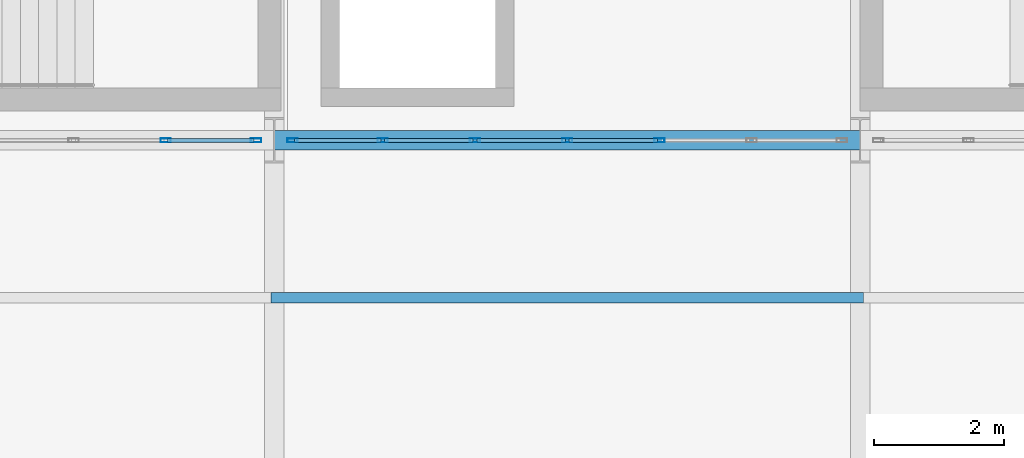
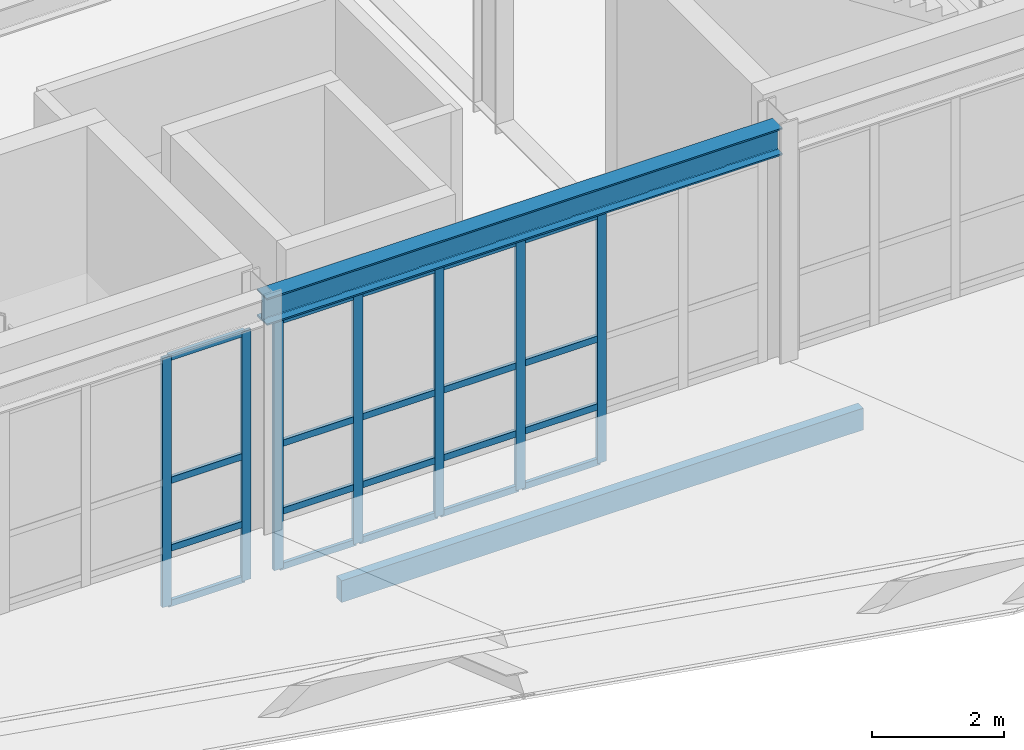
# One storey, part 52 of 239: 28 members, 1 beam, 2 elements without a shape of their own.
"""IFC4 building model written with IfcOpenShell, lengths in metres."""

from ifc_helpers import new_model, si_unit, direction, frame, origin, origin_2d, place, context, subcontext, project, spatial, rectangle, hollow_rectangle, i_section, extrude, material, material_profile, profile_set, type_object, element, aggregate, save


model = new_model("IFC4")

# Units and contexts
model_context = context("Model", 3, precision=1e-05, world=origin(), true_north=direction((0.0, 1.0)))
body_context = subcontext(model_context, "Body", "Model", "MODEL_VIEW")
ifc_project = project(units=[si_unit("LENGTHUNIT", "METRE"), si_unit("AREAUNIT", "SQUARE_METRE"), si_unit("VOLUMEUNIT", "CUBIC_METRE"), si_unit("PLANEANGLEUNIT", "RADIAN"), si_unit("MASSUNIT", "GRAM", prefix="KILO")], contexts=[model_context])

# Site, building, storey
site_placement = place(None, origin())
site = spatial("IfcSite", under=ifc_project, at=site_placement, CompositionType="ELEMENT")
building_placement = place(site_placement, origin())
building = spatial("IfcBuilding", under=site, at=building_placement, Name="Kaldris Quays Convention Centre", CompositionType="ELEMENT")
storey_placement = place(building_placement, frame((0.0, 0.0, 11.39990234375)))
storey = spatial("IfcBuildingStorey", under=building, at=storey_placement, Name="L02", CompositionType="ELEMENT", Elevation=11.39990234375)

# Curtain wall, members
ifc_material_1 = material(Name="Anodized aluminium AW-6060 and triple glazing", Category="aluminium")
curtain_wall_type = type_object("IfcCurtainWallType", Name="UNITISED CURTAIN WALL CW04", PredefinedType="NOTDEFINED", material=ifc_material_1)
curtain_wall_1_placement = place(storey_placement, origin())
curtain_wall_1 = element("IfcCurtainWall", 1, at=curtain_wall_1_placement, inside=storey, type_object=curtain_wall_type, Name="L02 Unitised Curtain Wall CW04 115", PredefinedType="NOTDEFINED")
ifc_material_2 = material(Name="Anodized aluminium AW-6060", Category="aluminium")
ifc_material_profile_1 = material_profile(ifc_material_2, hollow_rectangle(XDim=0.06005859375, YDim=0.159912109375, WallThickness=0.00390625, at=origin_2d()), Name="RHS 160x60x4")
ifc_profile_set_1 = profile_set([ifc_material_profile_1], Name="Anodized aluminium AW-6060")
member_type_1 = type_object("IfcMemberType", Name="CURTAIN MULLION CWM1", PredefinedType="MULLION", material=ifc_profile_set_1)
member_1_placement = place(storey_placement, frame((99.333251953125, 38.0, 0.0), z_axis=(0.0, 0.0, 1.0), x_axis=(0.0, 1.0, 0.0)))
member_1 = element("IfcMember", 2, at=member_1_placement, type_object=member_type_1, Name="CW04 mullion 6", PredefinedType="MULLION", context=body_context, shape_type="SweptSolid", body=[
    extrude(hollow_rectangle(XDim=0.06005859375, YDim=0.159912109375, WallThickness=0.00390625, at=origin_2d()), origin(), (0.0, 0.0, 1.0), 4.60009765625),
])
member_2_placement = place(storey_placement, frame((100.719970703125, 38.0, 0.0), z_axis=(0.0, 0.0, 1.0), x_axis=(0.0, 1.0, 0.0)))
member_2 = element("IfcMember", 3, at=member_2_placement, type_object=member_type_1, Name="CW04 mullion 7", PredefinedType="MULLION", context=body_context, shape_type="SweptSolid", body=[
    extrude(hollow_rectangle(XDim=0.06005859375, YDim=0.159912109375, WallThickness=0.00390625, at=origin_2d()), origin(), (0.0, 0.0, 1.0), 4.60009765625),
])

curtain_wall_2_placement = place(storey_placement, origin())
curtain_wall_2 = element("IfcCurtainWall", 4, at=curtain_wall_2_placement, inside=storey, type_object=curtain_wall_type, Name="L02 Unitised Curtain Wall CW04 116", PredefinedType="NOTDEFINED")
member_3_placement = place(storey_placement, frame((101.280029296875, 38.0, 0.0), z_axis=(0.0, 0.0, 1.0), x_axis=(0.0, 1.0, 0.0)))
member_3 = element("IfcMember", 5, at=member_3_placement, type_object=member_type_1, Name="CW04 mullion 1", PredefinedType="MULLION", context=body_context, shape_type="SweptSolid", body=[
    extrude(hollow_rectangle(XDim=0.06005859375, YDim=0.159912109375, WallThickness=0.00390625, at=origin_2d()), origin(), (0.0, 0.0, 1.0), 4.60009765625),
])
member_4_placement = place(storey_placement, frame((102.666748046875, 38.0, 0.0), z_axis=(0.0, 0.0, 1.0), x_axis=(0.0, 1.0, 0.0)))
member_4 = element("IfcMember", 6, at=member_4_placement, type_object=member_type_1, Name="CW04 mullion 2", PredefinedType="MULLION", context=body_context, shape_type="SweptSolid", body=[
    extrude(hollow_rectangle(XDim=0.06005859375, YDim=0.159912109375, WallThickness=0.00390625, at=origin_2d()), origin(), (0.0, 0.0, 1.0), 4.60009765625),
])
member_5_placement = place(storey_placement, frame((104.083251953125, 38.0, 0.0), z_axis=(0.0, 0.0, 1.0), x_axis=(0.0, 1.0, 0.0)))
member_5 = element("IfcMember", 7, at=member_5_placement, type_object=member_type_1, Name="CW04 mullion 3", PredefinedType="MULLION", context=body_context, shape_type="SweptSolid", body=[
    extrude(hollow_rectangle(XDim=0.06005859375, YDim=0.159912109375, WallThickness=0.00390625, at=origin_2d()), origin(), (0.0, 0.0, 1.0), 4.60009765625),
])
member_6_placement = place(storey_placement, frame((105.5, 38.0, 0.0), z_axis=(0.0, 0.0, 1.0), x_axis=(0.0, 1.0, 0.0)))
member_6 = element("IfcMember", 8, at=member_6_placement, type_object=member_type_1, Name="CW04 mullion 4", PredefinedType="MULLION", context=body_context, shape_type="SweptSolid", body=[
    extrude(hollow_rectangle(XDim=0.06005859375, YDim=0.159912109375, WallThickness=0.00390625, at=origin_2d()), origin(), (0.0, 0.0, 1.0), 4.60009765625),
])
member_7_placement = place(storey_placement, frame((106.916748046875, 38.0, 0.0), z_axis=(0.0, 0.0, 1.0), x_axis=(0.0, 1.0, 0.0)))
member_7 = element("IfcMember", 9, at=member_7_placement, type_object=member_type_1, Name="CW04 mullion 5", PredefinedType="MULLION", context=body_context, shape_type="SweptSolid", body=[
    extrude(hollow_rectangle(XDim=0.06005859375, YDim=0.159912109375, WallThickness=0.00390625, at=origin_2d()), origin(), (0.0, 0.0, 1.0), 4.60009765625),
])

# Member
ifc_material_profile_2 = material_profile(ifc_material_2, hollow_rectangle(XDim=0.06005859375, YDim=0.1201171875, WallThickness=0.00390625, at=origin_2d()), Name="RHS 120x60x4")
ifc_profile_set_2 = profile_set([ifc_material_profile_2], Name="Anodized aluminium AW-6060")
member_type_2 = type_object("IfcMemberType", Name="CURTAIN TRANSOM CWT1", PredefinedType="USERDEFINED", material=ifc_profile_set_2)
member_8_placement = place(storey_placement, frame((99.36328125, 38.0, 0.030029296875), z_axis=(1.0, 0.0, 0.0), x_axis=(0.0, 1.0, 0.0)))
member_8 = element("IfcMember", 10, at=member_8_placement, type_object=member_type_2, Name="CW04 transom 6.1", ObjectType="TRANSOM", PredefinedType="USERDEFINED", context=body_context, shape_type="SweptSolid", body=[
    extrude(hollow_rectangle(XDim=0.06005859375, YDim=0.1201171875, WallThickness=0.00390625, at=origin_2d()), origin(), (0.0, 0.0, 1.0), 1.32666015625),
])

member_9_placement = place(storey_placement, frame((99.36328125, 38.0, 1.050048828125), z_axis=(1.0, 0.0, 0.0), x_axis=(0.0, 1.0, 0.0)))
member_9 = element("IfcMember", 11, at=member_9_placement, type_object=member_type_2, Name="CW04 transom 6.2", ObjectType="TRANSOM", PredefinedType="USERDEFINED", context=body_context, shape_type="SweptSolid", body=[
    extrude(hollow_rectangle(XDim=0.06005859375, YDim=0.1201171875, WallThickness=0.00390625, at=origin_2d()), origin(), (0.0, 0.0, 1.0), 1.32666015625),
])

member_10_placement = place(storey_placement, frame((99.36328125, 38.0, 2.300048828125), z_axis=(1.0, 0.0, 0.0), x_axis=(0.0, 1.0, 0.0)))
member_10 = element("IfcMember", 12, at=member_10_placement, type_object=member_type_2, Name="CW04 transom 6.3", ObjectType="TRANSOM", PredefinedType="USERDEFINED", context=body_context, shape_type="SweptSolid", body=[
    extrude(hollow_rectangle(XDim=0.06005859375, YDim=0.1201171875, WallThickness=0.00390625, at=origin_2d()), origin(), (0.0, 0.0, 1.0), 1.32666015625),
])

member_11_placement = place(storey_placement, frame((99.36328125, 38.0, 4.570068359375), z_axis=(1.0, 0.0, 0.0), x_axis=(0.0, 1.0, 0.0)))
member_11 = element("IfcMember", 13, at=member_11_placement, type_object=member_type_2, Name="CW04 transom 6.4", ObjectType="TRANSOM", PredefinedType="USERDEFINED", context=body_context, shape_type="SweptSolid", body=[
    extrude(hollow_rectangle(XDim=0.06005859375, YDim=0.1201171875, WallThickness=0.00390625, at=origin_2d()), origin(), (0.0, 0.0, 1.0), 1.32666015625),
])

aggregate(curtain_wall_1, [member_1, member_2, member_8, member_9, member_10, member_11])

member_12_placement = place(storey_placement, frame((101.31005859375, 38.0, 0.030029296875), z_axis=(1.0, 0.0, 0.0), x_axis=(0.0, 1.0, 0.0)))
member_12 = element("IfcMember", 14, at=member_12_placement, type_object=member_type_2, Name="CW04 transom 1.1", ObjectType="TRANSOM", PredefinedType="USERDEFINED", context=body_context, shape_type="SweptSolid", body=[
    extrude(hollow_rectangle(XDim=0.06005859375, YDim=0.1201171875, WallThickness=0.00390625, at=origin_2d()), origin(), (0.0, 0.0, 1.0), 1.32666015625),
])

member_13_placement = place(storey_placement, frame((101.31005859375, 38.0, 1.050048828125), z_axis=(1.0, 0.0, 0.0), x_axis=(0.0, 1.0, 0.0)))
member_13 = element("IfcMember", 15, at=member_13_placement, type_object=member_type_2, Name="CW04 transom 1.2", ObjectType="TRANSOM", PredefinedType="USERDEFINED", context=body_context, shape_type="SweptSolid", body=[
    extrude(hollow_rectangle(XDim=0.06005859375, YDim=0.1201171875, WallThickness=0.00390625, at=origin_2d()), origin(), (0.0, 0.0, 1.0), 1.32666015625),
])

member_14_placement = place(storey_placement, frame((101.31005859375, 38.0, 2.300048828125), z_axis=(1.0, 0.0, 0.0), x_axis=(0.0, 1.0, 0.0)))
member_14 = element("IfcMember", 16, at=member_14_placement, type_object=member_type_2, Name="CW04 transom 1.3", ObjectType="TRANSOM", PredefinedType="USERDEFINED", context=body_context, shape_type="SweptSolid", body=[
    extrude(hollow_rectangle(XDim=0.06005859375, YDim=0.1201171875, WallThickness=0.00390625, at=origin_2d()), origin(), (0.0, 0.0, 1.0), 1.32666015625),
])

member_15_placement = place(storey_placement, frame((101.31005859375, 38.0, 4.570068359375), z_axis=(1.0, 0.0, 0.0), x_axis=(0.0, 1.0, 0.0)))
member_15 = element("IfcMember", 17, at=member_15_placement, type_object=member_type_2, Name="CW04 transom 1.4", ObjectType="TRANSOM", PredefinedType="USERDEFINED", context=body_context, shape_type="SweptSolid", body=[
    extrude(hollow_rectangle(XDim=0.06005859375, YDim=0.1201171875, WallThickness=0.00390625, at=origin_2d()), origin(), (0.0, 0.0, 1.0), 1.32666015625),
])

member_16_placement = place(storey_placement, frame((102.69677734375, 38.0, 0.030029296875), z_axis=(1.0, 0.0, 0.0), x_axis=(0.0, 1.0, 0.0)))
member_16 = element("IfcMember", 18, at=member_16_placement, type_object=member_type_2, Name="CW04 transom 2.1", ObjectType="TRANSOM", PredefinedType="USERDEFINED", context=body_context, shape_type="SweptSolid", body=[
    extrude(hollow_rectangle(XDim=0.06005859375, YDim=0.1201171875, WallThickness=0.00390625, at=origin_2d()), origin(), (0.0, 0.0, 1.0), 1.3564453125),
])

member_17_placement = place(storey_placement, frame((102.69677734375, 38.0, 1.050048828125), z_axis=(1.0, 0.0, 0.0), x_axis=(0.0, 1.0, 0.0)))
member_17 = element("IfcMember", 19, at=member_17_placement, type_object=member_type_2, Name="CW04 transom 2.2", ObjectType="TRANSOM", PredefinedType="USERDEFINED", context=body_context, shape_type="SweptSolid", body=[
    extrude(hollow_rectangle(XDim=0.06005859375, YDim=0.1201171875, WallThickness=0.00390625, at=origin_2d()), origin(), (0.0, 0.0, 1.0), 1.3564453125),
])

member_18_placement = place(storey_placement, frame((102.69677734375, 38.0, 2.300048828125), z_axis=(1.0, 0.0, 0.0), x_axis=(0.0, 1.0, 0.0)))
member_18 = element("IfcMember", 20, at=member_18_placement, type_object=member_type_2, Name="CW04 transom 2.3", ObjectType="TRANSOM", PredefinedType="USERDEFINED", context=body_context, shape_type="SweptSolid", body=[
    extrude(hollow_rectangle(XDim=0.06005859375, YDim=0.1201171875, WallThickness=0.00390625, at=origin_2d()), origin(), (0.0, 0.0, 1.0), 1.3564453125),
])

member_19_placement = place(storey_placement, frame((102.69677734375, 38.0, 4.570068359375), z_axis=(1.0, 0.0, 0.0), x_axis=(0.0, 1.0, 0.0)))
member_19 = element("IfcMember", 21, at=member_19_placement, type_object=member_type_2, Name="CW04 transom 2.4", ObjectType="TRANSOM", PredefinedType="USERDEFINED", context=body_context, shape_type="SweptSolid", body=[
    extrude(hollow_rectangle(XDim=0.06005859375, YDim=0.1201171875, WallThickness=0.00390625, at=origin_2d()), origin(), (0.0, 0.0, 1.0), 1.3564453125),
])

member_20_placement = place(storey_placement, frame((104.11328125, 38.0, 0.030029296875), z_axis=(1.0, 0.0, 0.0), x_axis=(0.0, 1.0, 0.0)))
member_20 = element("IfcMember", 22, at=member_20_placement, type_object=member_type_2, Name="CW04 transom 3.1", ObjectType="TRANSOM", PredefinedType="USERDEFINED", context=body_context, shape_type="SweptSolid", body=[
    extrude(hollow_rectangle(XDim=0.06005859375, YDim=0.1201171875, WallThickness=0.00390625, at=origin_2d()), origin(), (0.0, 0.0, 1.0), 1.356689453125),
])

member_21_placement = place(storey_placement, frame((104.11328125, 38.0, 1.050048828125), z_axis=(1.0, 0.0, 0.0), x_axis=(0.0, 1.0, 0.0)))
member_21 = element("IfcMember", 23, at=member_21_placement, type_object=member_type_2, Name="CW04 transom 3.2", ObjectType="TRANSOM", PredefinedType="USERDEFINED", context=body_context, shape_type="SweptSolid", body=[
    extrude(hollow_rectangle(XDim=0.06005859375, YDim=0.1201171875, WallThickness=0.00390625, at=origin_2d()), origin(), (0.0, 0.0, 1.0), 1.356689453125),
])

member_22_placement = place(storey_placement, frame((104.11328125, 38.0, 2.300048828125), z_axis=(1.0, 0.0, 0.0), x_axis=(0.0, 1.0, 0.0)))
member_22 = element("IfcMember", 24, at=member_22_placement, type_object=member_type_2, Name="CW04 transom 3.3", ObjectType="TRANSOM", PredefinedType="USERDEFINED", context=body_context, shape_type="SweptSolid", body=[
    extrude(hollow_rectangle(XDim=0.06005859375, YDim=0.1201171875, WallThickness=0.00390625, at=origin_2d()), origin(), (0.0, 0.0, 1.0), 1.356689453125),
])

member_23_placement = place(storey_placement, frame((104.11328125, 38.0, 4.570068359375), z_axis=(1.0, 0.0, 0.0), x_axis=(0.0, 1.0, 0.0)))
member_23 = element("IfcMember", 25, at=member_23_placement, type_object=member_type_2, Name="CW04 transom 3.4", ObjectType="TRANSOM", PredefinedType="USERDEFINED", context=body_context, shape_type="SweptSolid", body=[
    extrude(hollow_rectangle(XDim=0.06005859375, YDim=0.1201171875, WallThickness=0.00390625, at=origin_2d()), origin(), (0.0, 0.0, 1.0), 1.356689453125),
])

member_24_placement = place(storey_placement, frame((105.530029296875, 38.0, 0.030029296875), z_axis=(1.0, 0.0, 0.0), x_axis=(0.0, 1.0, 0.0)))
member_24 = element("IfcMember", 26, at=member_24_placement, type_object=member_type_2, Name="CW04 transom 4.1", ObjectType="TRANSOM", PredefinedType="USERDEFINED", context=body_context, shape_type="SweptSolid", body=[
    extrude(hollow_rectangle(XDim=0.06005859375, YDim=0.1201171875, WallThickness=0.00390625, at=origin_2d()), origin(), (0.0, 0.0, 1.0), 1.356689453125),
])

member_25_placement = place(storey_placement, frame((105.530029296875, 38.0, 1.050048828125), z_axis=(1.0, 0.0, 0.0), x_axis=(0.0, 1.0, 0.0)))
member_25 = element("IfcMember", 27, at=member_25_placement, type_object=member_type_2, Name="CW04 transom 4.2", ObjectType="TRANSOM", PredefinedType="USERDEFINED", context=body_context, shape_type="SweptSolid", body=[
    extrude(hollow_rectangle(XDim=0.06005859375, YDim=0.1201171875, WallThickness=0.00390625, at=origin_2d()), origin(), (0.0, 0.0, 1.0), 1.356689453125),
])

member_26_placement = place(storey_placement, frame((105.530029296875, 38.0, 2.300048828125), z_axis=(1.0, 0.0, 0.0), x_axis=(0.0, 1.0, 0.0)))
member_26 = element("IfcMember", 28, at=member_26_placement, type_object=member_type_2, Name="CW04 transom 4.3", ObjectType="TRANSOM", PredefinedType="USERDEFINED", context=body_context, shape_type="SweptSolid", body=[
    extrude(hollow_rectangle(XDim=0.06005859375, YDim=0.1201171875, WallThickness=0.00390625, at=origin_2d()), origin(), (0.0, 0.0, 1.0), 1.356689453125),
])

member_27_placement = place(storey_placement, frame((105.530029296875, 38.0, 4.570068359375), z_axis=(1.0, 0.0, 0.0), x_axis=(0.0, 1.0, 0.0)))
member_27 = element("IfcMember", 29, at=member_27_placement, type_object=member_type_2, Name="CW04 transom 4.4", ObjectType="TRANSOM", PredefinedType="USERDEFINED", context=body_context, shape_type="SweptSolid", body=[
    extrude(hollow_rectangle(XDim=0.06005859375, YDim=0.1201171875, WallThickness=0.00390625, at=origin_2d()), origin(), (0.0, 0.0, 1.0), 1.356689453125),
])

aggregate(curtain_wall_2, [member_3, member_4, member_5, member_6, member_7, member_12, member_13, member_14, member_15, member_16, member_17, member_18, member_19, member_20, member_21, member_22, member_23, member_24, member_25, member_26, member_27])

# Beam
ifc_material_3 = material(Name="Steel S355J2", Category="steel")
ifc_material_profile_3 = material_profile(ifc_material_3, i_section(OverallWidth=0.300048828125, OverallDepth=0.5, WebThickness=0.014404296875, FlangeThickness=0.028076171875, FilletRadius=0.027099609375, at=origin_2d()), Name="HEB 500")
ifc_profile_set_3 = profile_set([ifc_material_profile_3], Name="Steel S355J2")
beam_type = type_object("IfcBeamType", Name="STRUCTURAL BEAM BM06", PredefinedType="BEAM", material=ifc_profile_set_3)
beam_placement = place(storey_placement, frame((101.00244140625, 38.0, 4.9130859375), z_axis=(1.0, 0.0, 0.0), x_axis=(0.0, 1.0, 0.0)))
element("IfcBeam", 30, at=beam_placement, inside=storey, type_object=beam_type, Name="L02 Girder BM06 3", PredefinedType="BEAM", context=body_context, shape_type="SweptSolid", body=[
    extrude(i_section(OverallWidth=0.300048828125, OverallDepth=0.5, WebThickness=0.014404296875, FlangeThickness=0.028076171875, FilletRadius=0.027099609375, at=origin_2d()), origin(), (0.0, 0.0, 1.0), 8.9951171875),
])

# Member
ifc_material_4 = material(Name="Glulam GL28h", Category="wood")
ifc_material_profile_4 = material_profile(ifc_material_4, rectangle(XDim=0.159912109375, YDim=0.39990234375, at=origin_2d()), Name="GL 160x400")
ifc_profile_set_4 = profile_set([ifc_material_profile_4], Name="Glulam GL28h")
member_type_3 = type_object("IfcMemberType", Name="STRUCTURAL MEMBER PR01", PredefinedType="PURLIN", material=ifc_profile_set_4)
member_28_placement = place(storey_placement, frame((100.949951171875, 35.580078125, 1.201171875), z_axis=(1.0, 0.0, 0.0), x_axis=(0.0, 1.0, 0.0)))
element("IfcMember", 31, at=member_28_placement, inside=storey, type_object=member_type_3, Name="WR-SOUTH-ENTRY Glulam Wing Purlin 3", PredefinedType="PURLIN", context=body_context, shape_type="SweptSolid", body=[
    extrude(rectangle(XDim=0.159912109375, YDim=0.39990234375, at=origin_2d()), origin(), (0.0, 0.0, 1.0), 9.10009765625),
])

save(model, "model.ifc")
